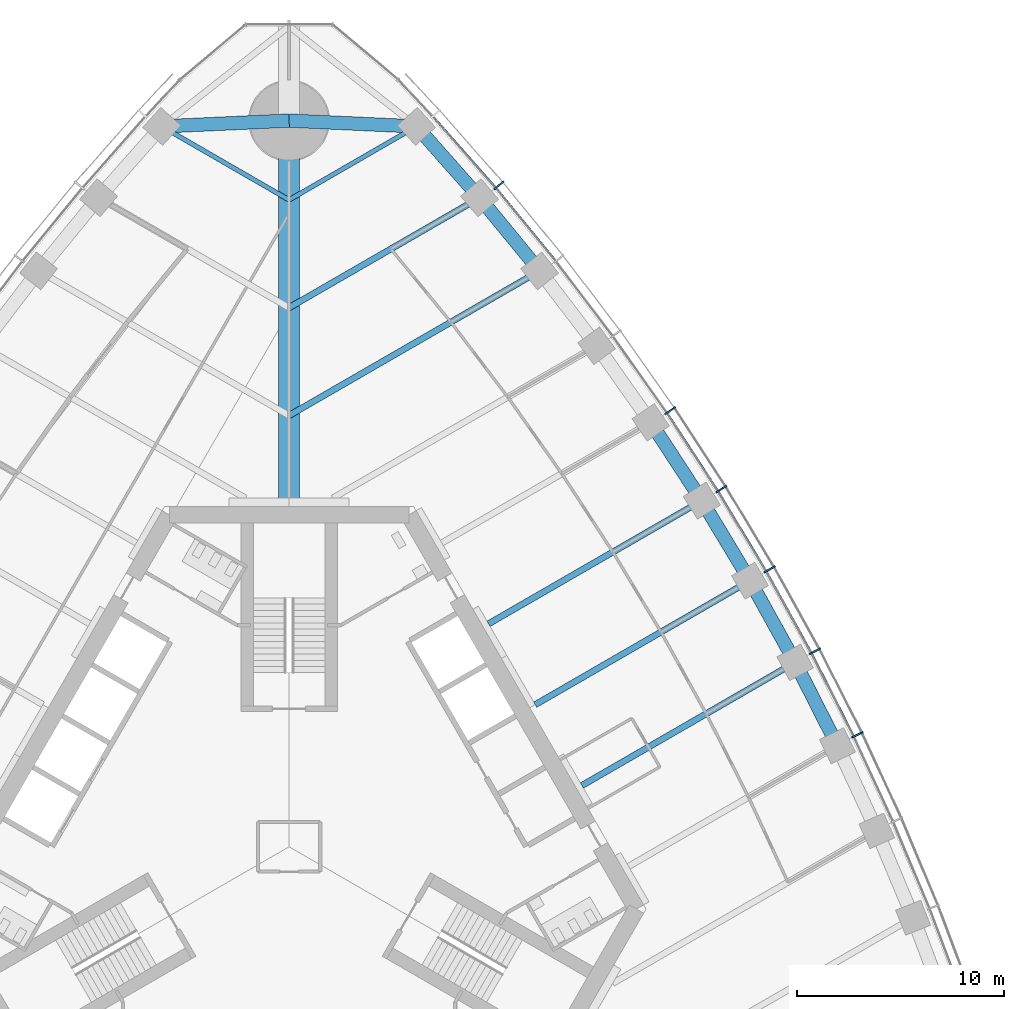
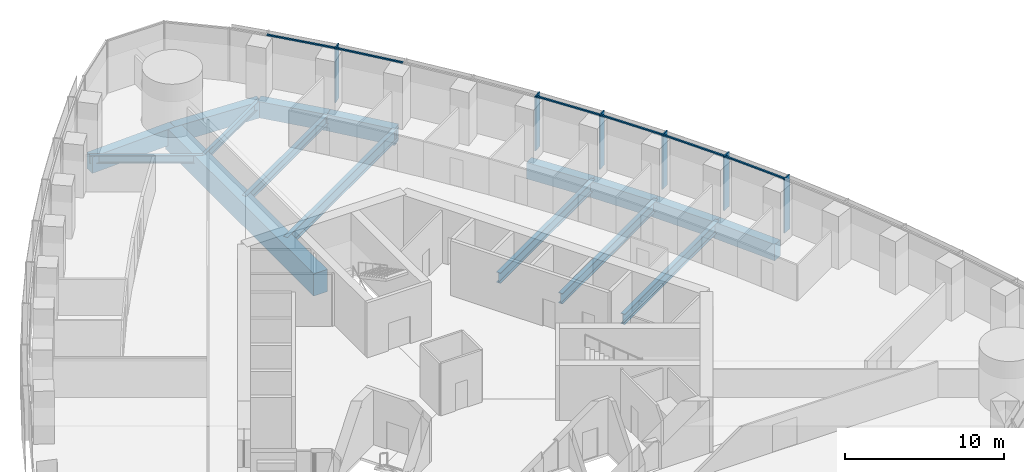
# One storey, part 6 of 19: 16 beams, 12 members, 1 element without a shape of its own.
"""IFC4 building model written with IfcOpenShell, lengths in metres."""

from ifc_helpers import new_model, si_unit, direction, frame, origin, origin_2d, place, context, subcontext, project, spatial, rectangle, i_section, extrude, material, material_profile, profile_set, type_object, element, aggregate, save


model = new_model("IFC4")

# Units and contexts
model_context = context("Model", 3, precision=1e-05, world=origin(), true_north=direction((0.0, 1.0)))
body_context = subcontext(model_context, "Body", "Model", "MODEL_VIEW")
ifc_project = project(units=[si_unit("LENGTHUNIT", "METRE"), si_unit("AREAUNIT", "SQUARE_METRE"), si_unit("VOLUMEUNIT", "CUBIC_METRE"), si_unit("PLANEANGLEUNIT", "RADIAN"), si_unit("MASSUNIT", "GRAM", prefix="KILO")], contexts=[model_context])

# Site, building, storey
site_placement = place(None, origin())
site = spatial("IfcSite", under=ifc_project, at=site_placement, CompositionType="ELEMENT")
building_placement = place(site_placement, origin())
building = spatial("IfcBuilding", under=site, at=building_placement, Name="Trefoil Bronze Tower", CompositionType="ELEMENT")
storey_placement = place(building_placement, frame((0.0, 0.0, 136.699951171875)))
storey = spatial("IfcBuildingStorey", under=building, at=storey_placement, Name="L31", CompositionType="ELEMENT", Elevation=136.699951171875)

# Curtain wall, members
ifc_material_1 = material(Name="Tinted solar-control glass", Category="glass")
curtain_wall_type = type_object("IfcCurtainWallType", Name="Bronze office curtain wall", PredefinedType="USERDEFINED", material=ifc_material_1)
curtain_wall_placement = place(storey_placement, origin())
curtain_wall = element("IfcCurtainWall", 1, at=curtain_wall_placement, inside=storey, type_object=curtain_wall_type, Name="CW-A L31 F2", ObjectType="CURTAIN WALL", PredefinedType="USERDEFINED")
ifc_material_2 = material(Name="Bronze-finish aluminium", Category="aluminium")
ifc_material_profile_1 = material_profile(ifc_material_2, rectangle(XDim=0.60009765625, YDim=0.080078125, at=origin_2d()), Name="CW-A mullion")
ifc_profile_set_1 = profile_set([ifc_material_profile_1], Name="Bronze-finish aluminium")
member_type_1 = type_object("IfcMemberType", Name="Bronze office curtain wall mullion", PredefinedType="MULLION", material=ifc_profile_set_1)
member_1_placement = place(storey_placement, frame((27.394775390625, 5.399169921875, 0.0), z_axis=(0.0, 0.0, 1.0), x_axis=(-0.899819602033, -0.436262173236, 0.0)))
member_1 = element("IfcMember", 2, at=member_1_placement, type_object=member_type_1, Name="CW-A L31 F2 mullion 6", PredefinedType="MULLION", context=body_context, shape_type="SweptSolid", body=[
    extrude(rectangle(XDim=0.60009765625, YDim=0.080078125, at=origin_2d()), origin(), (0.0, 0.0, 1.0), 4.179931640625),
])
member_2_placement = place(storey_placement, frame((25.350830078125, 9.427734375, 0.0), z_axis=(0.0, 0.0, 1.0), x_axis=(-0.883486441467, -0.468456729853, 0.0)))
member_2 = element("IfcMember", 3, at=member_2_placement, type_object=member_type_1, Name="CW-A L31 F2 mullion 7", PredefinedType="MULLION", context=body_context, shape_type="SweptSolid", body=[
    extrude(rectangle(XDim=0.60009765625, YDim=0.080078125, at=origin_2d()), origin(), (0.0, 0.0, 1.0), 4.179931640625),
])
member_3_placement = place(storey_placement, frame((23.166015625, 13.374755859375, 0.0), z_axis=(0.0, 0.0, 1.0), x_axis=(-0.866025403784, -0.5, 0.0)))
member_3 = element("IfcMember", 4, at=member_3_placement, type_object=member_type_1, Name="CW-A L31 F2 mullion 8", PredefinedType="MULLION", context=body_context, shape_type="SweptSolid", body=[
    extrude(rectangle(XDim=0.60009765625, YDim=0.080078125, at=origin_2d()), origin(), (0.0, 0.0, 1.0), 4.179931640625),
])
member_4_placement = place(storey_placement, frame((20.840087890625, 17.24072265625, 0.0), z_axis=(0.0, 0.0, 1.0), x_axis=(-0.84743864936, -0.530893337283, 0.0)))
member_4 = element("IfcMember", 5, at=member_4_placement, type_object=member_type_1, Name="CW-A L31 F2 mullion 9", PredefinedType="MULLION", context=body_context, shape_type="SweptSolid", body=[
    extrude(rectangle(XDim=0.60009765625, YDim=0.080078125, at=origin_2d()), origin(), (0.0, 0.0, 1.0), 4.179931640625),
])
member_5_placement = place(storey_placement, frame((18.373046875, 21.025146484375, 0.0), z_axis=(0.0, 0.0, 1.0), x_axis=(-0.827723925749, -0.561135547566, 0.0)))
member_5 = element("IfcMember", 6, at=member_5_placement, type_object=member_type_1, Name="CW-A L31 F2 mullion 10", PredefinedType="MULLION", context=body_context, shape_type="SweptSolid", body=[
    extrude(rectangle(XDim=0.60009765625, YDim=0.080078125, at=origin_2d()), origin(), (0.0, 0.0, 1.0), 4.179931640625),
])
member_6_placement = place(storey_placement, frame((10.11474609375, 31.8828125, 0.0), z_axis=(0.0, 0.0, 1.0), x_axis=(-0.761721651066, -0.647904411389, 0.0)))
member_6 = element("IfcMember", 7, at=member_6_placement, type_object=member_type_1, Name="CW-A L31 F2 mullion 13", PredefinedType="MULLION", context=body_context, shape_type="SweptSolid", body=[
    extrude(rectangle(XDim=0.60009765625, YDim=0.080078125, at=origin_2d()), origin(), (0.0, 0.0, 1.0), 4.179931640625),
])
ifc_material_3 = material(Name="Bronze-finish aluminium", Category="aluminium")
ifc_material_profile_2 = material_profile(ifc_material_3, rectangle(XDim=0.1201171875, YDim=0.10009765625, at=origin_2d()), Name="CW-A transom")
ifc_profile_set_2 = profile_set([ifc_material_profile_2], Name="Bronze-finish aluminium")
member_type_2 = type_object("IfcMemberType", Name="Bronze office curtain wall transom", PredefinedType="USERDEFINED", material=ifc_profile_set_2)
member_7_placement = place(storey_placement, frame((27.196044921875, 5.34912109375, 4.130126953125), z_axis=(-0.452478489814, 0.891775317138, 0.0), x_axis=(-0.891775317138, -0.452478489814, 0.0)))
member_7 = element("IfcMember", 8, at=member_7_placement, type_object=member_type_2, Name="CW-A L31 F2 transom 6", ObjectType="TRANSOM", PredefinedType="USERDEFINED", context=body_context, shape_type="SweptSolid", body=[
    extrude(rectangle(XDim=0.1201171875, YDim=0.10009765625, at=origin_2d()), origin(), (0.0, 0.0, 1.0), 4.426513671875),
])
member_8_placement = place(storey_placement, frame((25.154052734375, 9.37060546875, 4.130126953125), z_axis=(-0.484329470343, 0.874885686337, 0.0), x_axis=(-0.874885686337, -0.484329470343, 0.0)))
member_8 = element("IfcMember", 9, at=member_8_placement, type_object=member_type_2, Name="CW-A L31 F2 transom 7", ObjectType="TRANSOM", PredefinedType="USERDEFINED", context=body_context, shape_type="SweptSolid", body=[
    extrude(rectangle(XDim=0.1201171875, YDim=0.10009765625, at=origin_2d()), origin(), (0.0, 0.0, 1.0), 4.4208984375),
])
member_9_placement = place(storey_placement, frame((22.97119140625, 13.310546875, 4.130126953125), z_axis=(-0.515526794174, 0.856873458854, 0.0), x_axis=(-0.856873458854, -0.515526794174, 0.0)))
member_9 = element("IfcMember", 10, at=member_9_placement, type_object=member_type_2, Name="CW-A L31 F2 transom 8", ObjectType="TRANSOM", PredefinedType="USERDEFINED", context=body_context, shape_type="SweptSolid", body=[
    extrude(rectangle(XDim=0.1201171875, YDim=0.10009765625, at=origin_2d()), origin(), (0.0, 0.0, 1.0), 4.4208984375),
])
member_10_placement = place(storey_placement, frame((20.647705078125, 17.16943359375, 4.130126953125), z_axis=(-0.546079336226, 0.837733465099, 0.0), x_axis=(-0.837733465099, -0.546079336226, 0.0)))
member_10 = element("IfcMember", 11, at=member_10_placement, type_object=member_type_2, Name="CW-A L31 F2 transom 9", ObjectType="TRANSOM", PredefinedType="USERDEFINED", context=body_context, shape_type="SweptSolid", body=[
    extrude(rectangle(XDim=0.1201171875, YDim=0.10009765625, at=origin_2d()), origin(), (0.0, 0.0, 1.0), 4.426513671875),
])
member_11_placement = place(storey_placement, frame((12.82861328125, 28.255615234375, 4.130126953125), z_axis=(-0.633848872297, 0.773456919995, 0.0), x_axis=(-0.773456919995, -0.633848872297, 0.0)))
member_11 = element("IfcMember", 12, at=member_11_placement, type_object=member_type_2, Name="CW-A L31 F2 transom 12", ObjectType="TRANSOM", PredefinedType="USERDEFINED", context=body_context, shape_type="SweptSolid", body=[
    extrude(rectangle(XDim=0.1201171875, YDim=0.10009765625, at=origin_2d()), origin(), (0.0, 0.0, 1.0), 4.480224609375),
])
member_12_placement = place(storey_placement, frame((9.9345703125, 31.78466796875, 4.130126953125), z_axis=(-0.66173618877, 0.749736764786, 0.0), x_axis=(-0.749736764786, -0.66173618877, 0.0)))
member_12 = element("IfcMember", 13, at=member_12_placement, type_object=member_type_2, Name="CW-A L31 F2 transom 13", ObjectType="TRANSOM", PredefinedType="USERDEFINED", context=body_context, shape_type="SweptSolid", body=[
    extrude(rectangle(XDim=0.1201171875, YDim=0.10009765625, at=origin_2d()), origin(), (0.0, 0.0, 1.0), 4.510986328125),
])
aggregate(curtain_wall, [member_1, member_2, member_3, member_4, member_5, member_6, member_7, member_8, member_9, member_10, member_11, member_12])

# Beams
ifc_material_4 = material(Name="Concrete B80", Category="concrete")
ifc_material_profile_3 = material_profile(ifc_material_4, rectangle(XDim=1.0, YDim=1.699951171875, at=origin_2d()), Name="RC 1000x1700")
ifc_profile_set_3 = profile_set([ifc_material_profile_3], Name="Concrete B80")
beam_type_1 = type_object("IfcBeamType", Name="Corner girder RC 1000x1700", PredefinedType="BEAM", material=ifc_profile_set_3)
beam_1_placement = place(storey_placement, frame((0.0, 16.39990234375, -1.050048828125), z_axis=(0.0, 1.0, 0.0), x_axis=(-1.0, 0.0, 0.0)))
element("IfcBeam", 14, at=beam_1_placement, inside=storey, type_object=beam_type_1, Name="Corner girder K2 L31", PredefinedType="BEAM", context=body_context, shape_type="SweptSolid", body=[
    extrude(rectangle(XDim=1.0, YDim=1.699951171875, at=origin_2d()), origin(), (0.0, 0.0, 1.0), 18.60009765625),
])
ifc_material_5 = material(Name="Concrete B80", Category="concrete")
ifc_material_profile_4 = material_profile(ifc_material_5, rectangle(XDim=0.64990234375, YDim=1.25, at=origin_2d()), Name="RC 650x1250")
ifc_profile_set_4 = profile_set([ifc_material_profile_4], Name="Concrete B80")
beam_type_2 = type_object("IfcBeamType", Name="End spandrel beam RC 650x1250", PredefinedType="SPANDREL", material=ifc_profile_set_4)
for number, where, z_axis, x_axis, name in (
    (15, (6.13916015625, 34.72119140625, -0.824951171875), (-0.998970341464, 0.045368015985, 0.0), (-0.045368015985, -0.998970341464, 0.0), "Spandrel F2.14 L31"),
    (16, (0.0, 35.0, -0.824951171875), (-0.998970341464, -0.045368015985, 0.0), (0.045368015985, -0.998970341464, 0.0), "Spandrel F3.1 L31"),
):
    element("IfcBeam", number, at=place(storey_placement, frame(where, z_axis=z_axis, x_axis=x_axis)), inside=storey, type_object=beam_type_2, Name=name, PredefinedType="SPANDREL", context=body_context, shape_type="SweptSolid", body=[
        extrude(rectangle(XDim=0.64990234375, YDim=1.25, at=origin_2d()), origin(), (0.0, 0.0, 1.0), 6.1455078125),
    ])
ifc_material_6 = material(Name="Steel C355", Category="steel")
ifc_material_profile_5 = material_profile(ifc_material_6, i_section(OverallWidth=0.300048828125, OverallDepth=0.699951171875, WebThickness=0.01708984375, FlangeThickness=0.031982421875, FilletRadius=0.027099609375, at=origin_2d()), Name="HEB 700")
ifc_profile_set_5 = profile_set([ifc_material_profile_5], Name="Steel C355")
beam_type_3 = type_object("IfcBeamType", Name="Floor beam HEB 700", PredefinedType="BEAM", material=ifc_profile_set_5)
beam_2_placement = place(storey_placement, frame((9.181884765625, 31.281982421875, -0.550048828125), z_axis=(-0.866021079084, -0.500007490527, 0.0), x_axis=(0.500007490527, -0.866021079084, 0.0)))
element("IfcBeam", 17, at=beam_2_placement, inside=storey, type_object=beam_type_3, Name="Floor beam F2/+5 L31", PredefinedType="BEAM", context=body_context, shape_type="SweptSolid", body=[
    extrude(i_section(OverallWidth=0.300048828125, OverallDepth=0.699951171875, WebThickness=0.01708984375, FlangeThickness=0.031982421875, FilletRadius=0.027099609375, at=origin_2d()), origin(), (0.0, 0.0, 1.0), 10.602294921875),
])
ifc_material_7 = material(Name="Steel C355", Category="steel")
ifc_material_profile_6 = material_profile(ifc_material_7, i_section(OverallWidth=0.300048828125, OverallDepth=0.800048828125, WebThickness=0.017578125, FlangeThickness=0.032958984375, FilletRadius=0.030029296875, at=origin_2d()), Name="HEB 800")
ifc_profile_set_6 = profile_set([ifc_material_profile_6], Name="Steel C355")
beam_type_4 = type_object("IfcBeamType", Name="Floor beam HEB 800", PredefinedType="BEAM", material=ifc_profile_set_6)
beam_3_placement = place(storey_placement, frame((24.392578125, 8.886962890625, -0.599853515625), z_axis=(-0.866024236736, -0.500002021381, 0.0), x_axis=(0.500002021381, -0.866024236736, 0.0)))
element("IfcBeam", 18, at=beam_3_placement, inside=storey, type_object=beam_type_4, Name="Floor beam F2/-1 L31", PredefinedType="BEAM", context=body_context, shape_type="SweptSolid", body=[
    extrude(i_section(OverallWidth=0.300048828125, OverallDepth=0.800048828125, WebThickness=0.017578125, FlangeThickness=0.032958984375, FilletRadius=0.030029296875, at=origin_2d()), origin(), (0.0, 0.0, 1.0), 11.8681640625),
])
beam_4_placement = place(storey_placement, frame((22.21337890625, 12.824951171875, -0.599853515625), z_axis=(-0.866028062731, -0.499995394541, 0.0), x_axis=(0.499995394541, -0.866028062731, 0.0)))
element("IfcBeam", 19, at=beam_4_placement, inside=storey, type_object=beam_type_4, Name="Floor beam F2/+0 L31", PredefinedType="BEAM", context=body_context, shape_type="SweptSolid", body=[
    extrude(i_section(OverallWidth=0.300048828125, OverallDepth=0.800048828125, WebThickness=0.017578125, FlangeThickness=0.032958984375, FilletRadius=0.030029296875, at=origin_2d()), origin(), (0.0, 0.0, 1.0), 11.94970703125),
])
beam_5_placement = place(storey_placement, frame((19.892578125, 16.68115234375, -0.599853515625), z_axis=(-0.866024236736, -0.500002021381, 0.0), x_axis=(0.500002021381, -0.866024236736, 0.0)))
element("IfcBeam", 20, at=beam_5_placement, inside=storey, type_object=beam_type_4, Name="Floor beam F2/+1 L31", PredefinedType="BEAM", context=body_context, shape_type="SweptSolid", body=[
    extrude(i_section(OverallWidth=0.300048828125, OverallDepth=0.800048828125, WebThickness=0.017578125, FlangeThickness=0.032958984375, FilletRadius=0.030029296875, at=origin_2d()), origin(), (0.0, 0.0, 1.0), 11.8681640625),
])
ifc_material_8 = material(Name="Steel C355", Category="steel")
ifc_material_profile_7 = material_profile(ifc_material_8, i_section(OverallWidth=0.300048828125, OverallDepth=0.89990234375, WebThickness=0.0185546875, FlangeThickness=0.034912109375, FilletRadius=0.030029296875, at=origin_2d()), Name="HEB 900")
ifc_profile_set_7 = profile_set([ifc_material_profile_7], Name="Steel C355")
beam_type_5 = type_object("IfcBeamType", Name="Floor beam HEB 900", PredefinedType="BEAM", material=ifc_profile_set_7)
beam_6_placement = place(storey_placement, frame((12.07666015625, 27.757080078125, -0.64990234375), z_axis=(-0.866026983775, -0.499997263366, 0.0), x_axis=(0.499997263366, -0.866026983775, 0.0)))
element("IfcBeam", 21, at=beam_6_placement, inside=storey, type_object=beam_type_5, Name="Floor beam F2/+4 L31", PredefinedType="BEAM", context=body_context, shape_type="SweptSolid", body=[
    extrude(i_section(OverallWidth=0.300048828125, OverallDepth=0.89990234375, WebThickness=0.0185546875, FlangeThickness=0.034912109375, FilletRadius=0.030029296875, at=origin_2d()), origin(), (0.0, 0.0, 1.0), 13.94482421875),
])
ifc_material_9 = material(Name="Steel C355", Category="steel")
ifc_material_profile_8 = material_profile(ifc_material_9, i_section(OverallWidth=0.219970703125, OverallDepth=0.60009765625, WebThickness=0.011962890625, FlangeThickness=0.01904296875, FilletRadius=0.02392578125, at=origin_2d()), Name="IPE 600")
ifc_profile_set_8 = profile_set([ifc_material_profile_8], Name="Steel C355")
beam_type_6 = type_object("IfcBeamType", Name="Floor beam IPE 600", PredefinedType="BEAM", material=ifc_profile_set_8)
for number, where, z_axis, x_axis, name in (
    (22, (6.13916015625, 34.72119140625, -0.5), (-0.866041060244, -0.499972881236, 0.0), (0.499972881236, -0.866041060244, 0.0), "Floor beam F2/+6 L31"),
    (23, (-6.13916015625, 34.72119140625, -0.5), (0.866041060244, -0.499972881236, 0.0), (0.499972881236, 0.866041060244, 0.0), "Floor beam F3/-6 L31"),
):
    element("IfcBeam", number, at=place(storey_placement, frame(where, z_axis=z_axis, x_axis=x_axis)), inside=storey, type_object=beam_type_6, Name=name, PredefinedType="BEAM", context=body_context, shape_type="SweptSolid", body=[
        extrude(i_section(OverallWidth=0.219970703125, OverallDepth=0.60009765625, WebThickness=0.011962890625, FlangeThickness=0.01904296875, FilletRadius=0.02392578125, at=origin_2d()), origin(), (0.0, 0.0, 1.0), 7.0888671875),
    ])
ifc_material_10 = material(Name="Concrete B80", Category="concrete")
ifc_material_profile_9 = material_profile(ifc_material_10, rectangle(XDim=0.64990234375, YDim=1.25, at=origin_2d()), Name="RC 650x1250")
ifc_profile_set_9 = profile_set([ifc_material_profile_9], Name="Concrete B80")
beam_type_7 = type_object("IfcBeamType", Name="Spandrel beam RC 650x1250", PredefinedType="SPANDREL", material=ifc_profile_set_9)
beam_7_placement = place(storey_placement, frame((26.43017578125, 4.8671875, -0.824951171875), z_axis=(-0.452125717735, 0.891954222683, 0.0), x_axis=(-0.891954222683, -0.452125717735, 0.0)))
element("IfcBeam", 24, at=beam_7_placement, inside=storey, type_object=beam_type_7, Name="Spandrel F2.6 L31", PredefinedType="SPANDREL", context=body_context, shape_type="SweptSolid", body=[
    extrude(rectangle(XDim=0.64990234375, YDim=1.25, at=origin_2d()), origin(), (0.0, 0.0, 1.0), 4.506591796875),
])
for number, where, z_axis, x_axis, name in (
    (25, (24.392578125, 8.886962890625, -0.824951171875), (-0.484186866546, 0.874964615436, 0.0), (-0.874964615436, -0.484186866546, 0.0), "Spandrel F2.7 L31"),
    (26, (22.21337890625, 12.824951171875, -0.824951171875), (-0.515651979972, 0.856798129988, 0.0), (-0.856798129988, -0.515651979972, 0.0), "Spandrel F2.8 L31"),
):
    element("IfcBeam", number, at=place(storey_placement, frame(where, z_axis=z_axis, x_axis=x_axis)), inside=storey, type_object=beam_type_7, Name=name, PredefinedType="SPANDREL", context=body_context, shape_type="SweptSolid", body=[
        extrude(rectangle(XDim=0.64990234375, YDim=1.25, at=origin_2d()), origin(), (0.0, 0.0, 1.0), 4.500732421875),
    ])
beam_8_placement = place(storey_placement, frame((19.892578125, 16.68115234375, -0.824951171875), z_axis=(-0.546396670296, 0.83752652417, 0.0), x_axis=(-0.83752652417, -0.546396670296, 0.0)))
element("IfcBeam", 27, at=beam_8_placement, inside=storey, type_object=beam_type_7, Name="Spandrel F2.9 L31", PredefinedType="SPANDREL", context=body_context, shape_type="SweptSolid", body=[
    extrude(rectangle(XDim=0.64990234375, YDim=1.25, at=origin_2d()), origin(), (0.0, 0.0, 1.0), 4.506591796875),
])
beam_9_placement = place(storey_placement, frame((12.07666015625, 27.757080078125, -0.824951171875), z_axis=(-0.634650386838, 0.772799383079, 0.0), x_axis=(-0.772799383079, -0.634650386838, 0.0)))
element("IfcBeam", 28, at=beam_9_placement, inside=storey, type_object=beam_type_7, Name="Spandrel F2.12 L31", PredefinedType="SPANDREL", context=body_context, shape_type="SweptSolid", body=[
    extrude(rectangle(XDim=0.64990234375, YDim=1.25, at=origin_2d()), origin(), (0.0, 0.0, 1.0), 4.561279296875),
])
beam_10_placement = place(storey_placement, frame((9.181884765625, 31.281982421875, -0.824951171875), z_axis=(-0.662616326239, 0.748959013699, 0.0), x_axis=(-0.748959013699, -0.662616326239, 0.0)))
element("IfcBeam", 29, at=beam_10_placement, inside=storey, type_object=beam_type_7, Name="Spandrel F2.13 L31", PredefinedType="SPANDREL", context=body_context, shape_type="SweptSolid", body=[
    extrude(rectangle(XDim=0.64990234375, YDim=1.25, at=origin_2d()), origin(), (0.0, 0.0, 1.0), 4.592041015625),
])

save(model, "model.ifc")
